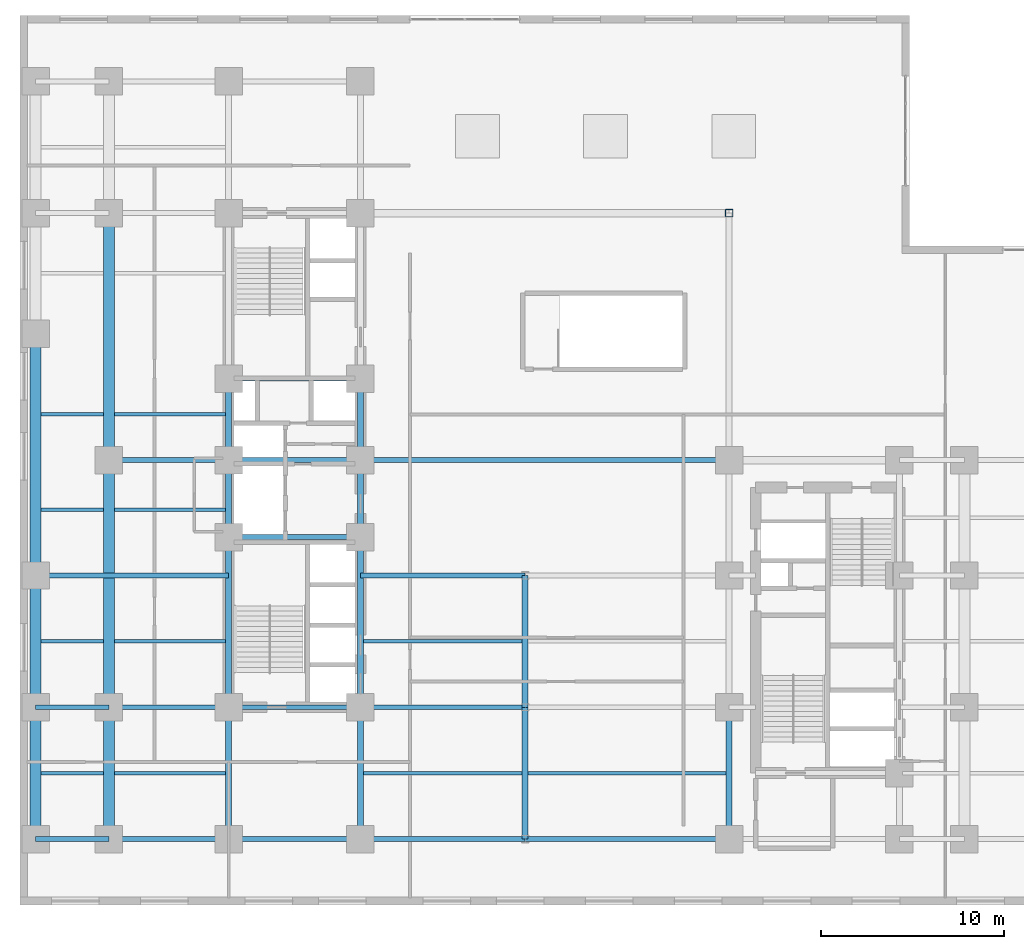
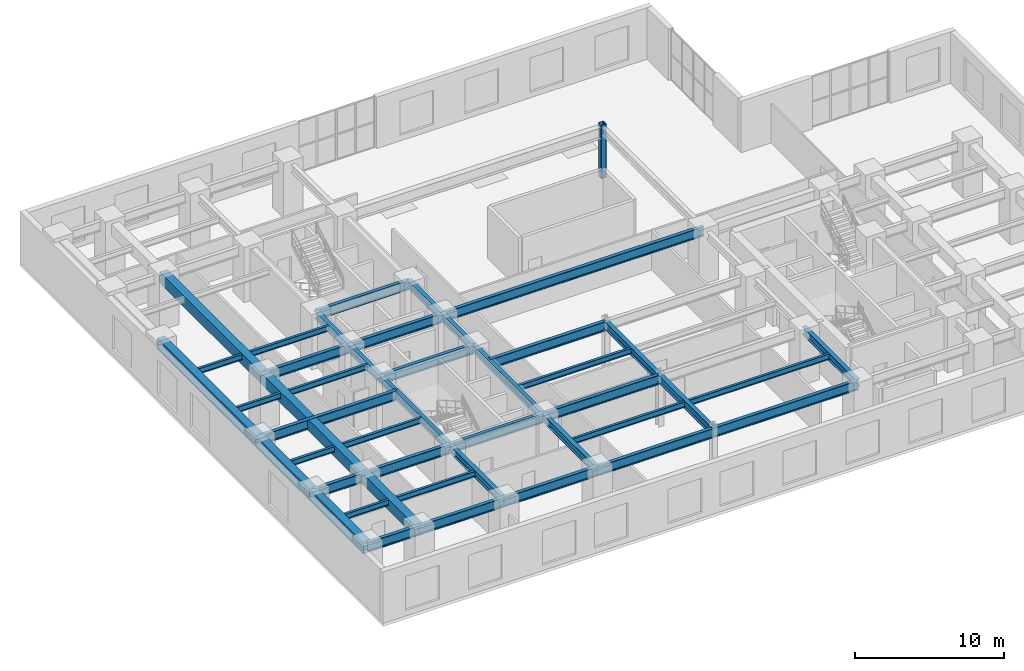
# One storey, part 2 of 14: 44 beams, 1 column.
"""IFC4 building model written with IfcOpenShell, lengths in metres."""

from ifc_helpers import new_model, entity, si_unit, converted_unit, direction, frame, origin_with_axes, origin_2d_with_axis, place, context, subcontext, project, spatial, rectangle, hollow_rectangle, i_section, extrude, material, material_profile, profile_set, type_object, element, save


model = new_model("IFC4")

# Units and contexts
model_context = context("Model", 3, precision=1e-05, world=origin_with_axes(), true_north=direction((0.0, 1.0)))
body_context = subcontext(model_context, "Body", "Model", "MODEL_VIEW")
ifc_project = project(units=[si_unit("LENGTHUNIT", "METRE"), si_unit("AREAUNIT", "SQUARE_METRE"), si_unit("VOLUMEUNIT", "CUBIC_METRE"), converted_unit("PLANEANGLEUNIT", "DEGREE", entity("IfcPlaneAngleMeasure", 0.017453292519943295), si_unit("PLANEANGLEUNIT", "RADIAN"), dimensions=[0, 0, 0, 0, 0, 0, 0]), si_unit("MASSUNIT", "GRAM", prefix="KILO"), si_unit("THERMODYNAMICTEMPERATUREUNIT", "KELVIN")], contexts=[model_context])

# Site, building, storey
site_placement = place(None, origin_with_axes())
site = spatial("IfcSite", under=ifc_project, at=site_placement, CompositionType="ELEMENT")
building_placement = place(site_placement, origin_with_axes())
building = spatial("IfcBuilding", under=site, at=building_placement, Name="Varnlund Millrace Tower", CompositionType="ELEMENT")
storey_placement = place(building_placement, frame((0.0, 0.0, 24.3), z_axis=(0.0, 0.0, 1.0), x_axis=(1.0, 0.0, 0.0)))
storey = spatial("IfcBuildingStorey", under=building, at=storey_placement, Name="L05", CompositionType="ELEMENT", Elevation=24.3)

# Column
ifc_material_1 = material(Name="Steel ASTM A500 Grade C", Category="steel")
ifc_material_profile_1 = material_profile(ifc_material_1, hollow_rectangle(XDim=0.406, YDim=0.406, WallThickness=0.0147, InnerFilletRadius=0.015, OuterFilletRadius=0.03, at=origin_2d_with_axis()), Name="Steel ASTM A500 Grade C")
ifc_profile_set_1 = profile_set([ifc_material_profile_1], Name="Steel ASTM A500 Grade C")
column_type = type_object("IfcColumnType", Name="Type-Col-Int-HSS16", PredefinedType="COLUMN", material=ifc_profile_set_1)
column_placement = place(storey_placement, frame((38.75, 37.8, 0.0), z_axis=(0.0, 0.0, 1.0), x_axis=(1.0, 0.0, 0.0)))
element("IfcColumn", 1, at=column_placement, inside=storey, type_object=column_type, Name="Type-Col-Int-HSS16", PredefinedType="COLUMN", context=body_context, shape_type="SweptSolid", body=[
    extrude(hollow_rectangle(XDim=0.406, YDim=0.406, WallThickness=0.0147, InnerFilletRadius=0.015, OuterFilletRadius=0.03, at=origin_2d_with_axis()), origin_with_axes(), (0.0, 0.0, 1.0), 4.38),
])

# Beams
ifc_material_2 = material(Name="Steel ASTM A992 Grade 50", Category="steel")
ifc_material_profile_2 = material_profile(ifc_material_2, i_section(OverallWidth=0.328, OverallDepth=0.628, WebThickness=0.0165, FlangeThickness=0.0277, FilletRadius=0.018, at=origin_2d_with_axis()), Name="Steel ASTM A992 Grade 50")
ifc_profile_set_2 = profile_set([ifc_material_profile_2], Name="Steel ASTM A992 Grade 50")
beam_type_1 = type_object("IfcBeamType", Name="Type-Girder-W24X146", PredefinedType="USERDEFINED", material=ifc_profile_set_2)
beam_1_placement = place(storey_placement, frame((11.4, 3.6, 3.886), z_axis=(0.0, 1.0, 0.0), x_axis=(-1.0, 0.0, 0.0)))
element("IfcBeam", 2, at=beam_1_placement, inside=storey, type_object=beam_type_1, Name="Type-Girder-W24X146", ObjectType="GIRDER", PredefinedType="USERDEFINED", context=body_context, shape_type="SweptSolid", body=[
    extrude(i_section(OverallWidth=0.328, OverallDepth=0.628, WebThickness=0.0165, FlangeThickness=0.0277, FilletRadius=0.018, at=origin_2d_with_axis()), origin_with_axes(), (0.0, 0.0, 1.0), 7.2),
])
beam_2_placement = place(storey_placement, frame((11.4, 10.8, 3.886), z_axis=(0.0, 1.0, 0.0), x_axis=(-1.0, 0.0, 0.0)))
element("IfcBeam", 3, at=beam_2_placement, inside=storey, type_object=beam_type_1, Name="Type-Girder-W24X146", ObjectType="GIRDER", PredefinedType="USERDEFINED", context=body_context, shape_type="SweptSolid", body=[
    extrude(i_section(OverallWidth=0.328, OverallDepth=0.628, WebThickness=0.0165, FlangeThickness=0.0277, FilletRadius=0.018, at=origin_2d_with_axis()), origin_with_axes(), (0.0, 0.0, 1.0), 9.3),
])
beam_3_placement = place(storey_placement, frame((11.4, 20.1, 3.886), z_axis=(0.0, 1.0, 0.0), x_axis=(-1.0, 0.0, 0.0)))
element("IfcBeam", 4, at=beam_3_placement, inside=storey, type_object=beam_type_1, Name="Type-Girder-W24X146", ObjectType="GIRDER", PredefinedType="USERDEFINED", context=body_context, shape_type="SweptSolid", body=[
    extrude(i_section(OverallWidth=0.328, OverallDepth=0.628, WebThickness=0.0165, FlangeThickness=0.0277, FilletRadius=0.018, at=origin_2d_with_axis()), origin_with_axes(), (0.0, 0.0, 1.0), 4.2),
])
beam_4_placement = place(storey_placement, frame((11.4, 24.3, 3.886), z_axis=(0.0, 1.0, 0.0), x_axis=(-1.0, 0.0, 0.0)))
element("IfcBeam", 5, at=beam_4_placement, inside=storey, type_object=beam_type_1, Name="Type-Girder-W24X146", ObjectType="GIRDER", PredefinedType="USERDEFINED", context=body_context, shape_type="SweptSolid", body=[
    extrude(i_section(OverallWidth=0.328, OverallDepth=0.628, WebThickness=0.0165, FlangeThickness=0.0277, FilletRadius=0.018, at=origin_2d_with_axis()), origin_with_axes(), (0.0, 0.0, 1.0), 4.45),
])
beam_5_placement = place(storey_placement, frame((18.6, 3.6, 3.886), z_axis=(0.0, 1.0, 0.0), x_axis=(-1.0, 0.0, 0.0)))
element("IfcBeam", 6, at=beam_5_placement, inside=storey, type_object=beam_type_1, Name="Type-Girder-W24X146", ObjectType="GIRDER", PredefinedType="USERDEFINED", context=body_context, shape_type="SweptSolid", body=[
    extrude(i_section(OverallWidth=0.328, OverallDepth=0.628, WebThickness=0.0165, FlangeThickness=0.0277, FilletRadius=0.018, at=origin_2d_with_axis()), origin_with_axes(), (0.0, 0.0, 1.0), 7.2),
])
beam_6_placement = place(storey_placement, frame((18.6, 10.8, 3.886), z_axis=(0.0, 1.0, 0.0), x_axis=(-1.0, 0.0, 0.0)))
element("IfcBeam", 7, at=beam_6_placement, inside=storey, type_object=beam_type_1, Name="Type-Girder-W24X146", ObjectType="GIRDER", PredefinedType="USERDEFINED", context=body_context, shape_type="SweptSolid", body=[
    extrude(i_section(OverallWidth=0.328, OverallDepth=0.628, WebThickness=0.0165, FlangeThickness=0.0277, FilletRadius=0.018, at=origin_2d_with_axis()), origin_with_axes(), (0.0, 0.0, 1.0), 9.3),
])
beam_7_placement = place(storey_placement, frame((18.6, 20.1, 3.886), z_axis=(0.0, 1.0, 0.0), x_axis=(-1.0, 0.0, 0.0)))
element("IfcBeam", 8, at=beam_7_placement, inside=storey, type_object=beam_type_1, Name="Type-Girder-W24X146", ObjectType="GIRDER", PredefinedType="USERDEFINED", context=body_context, shape_type="SweptSolid", body=[
    extrude(i_section(OverallWidth=0.328, OverallDepth=0.628, WebThickness=0.0165, FlangeThickness=0.0277, FilletRadius=0.018, at=origin_2d_with_axis()), origin_with_axes(), (0.0, 0.0, 1.0), 4.2),
])
beam_8_placement = place(storey_placement, frame((18.6, 24.3, 3.886), z_axis=(0.0, 1.0, 0.0), x_axis=(-1.0, 0.0, 0.0)))
element("IfcBeam", 9, at=beam_8_placement, inside=storey, type_object=beam_type_1, Name="Type-Girder-W24X146", ObjectType="GIRDER", PredefinedType="USERDEFINED", context=body_context, shape_type="SweptSolid", body=[
    extrude(i_section(OverallWidth=0.328, OverallDepth=0.628, WebThickness=0.0165, FlangeThickness=0.0277, FilletRadius=0.018, at=origin_2d_with_axis()), origin_with_axes(), (0.0, 0.0, 1.0), 4.45),
])
for number, where, z_axis, x_axis, name in (
    (10, (27.6, 3.6, 3.886), (0.0, 1.0, 0.0), (-1.0, 0.0, 0.0), "Type-Girder-W24X146"),
    (11, (27.6, 10.8, 3.886), (0.0, 1.0, 0.0), (-1.0, 0.0, 0.0), "Type-Girder-W24X146"),
    (12, (38.75, 3.6, 3.886), (0.0, 1.0, 0.0), (-1.0, 0.0, 0.0), "Type-Girder-W24X146"),
):
    element("IfcBeam", number, at=place(storey_placement, frame(where, z_axis=z_axis, x_axis=x_axis)), inside=storey, type_object=beam_type_1, Name=name, ObjectType="GIRDER", PredefinedType="USERDEFINED", context=body_context, shape_type="SweptSolid", body=[
        extrude(i_section(OverallWidth=0.328, OverallDepth=0.628, WebThickness=0.0165, FlangeThickness=0.0277, FilletRadius=0.018, at=origin_2d_with_axis()), origin_with_axes(), (0.0, 0.0, 1.0), 7.2),
    ])
ifc_material_profile_3 = material_profile(ifc_material_2, i_section(OverallWidth=0.266, OverallDepth=0.779, WebThickness=0.0165, FlangeThickness=0.03, FilletRadius=0.02, at=origin_2d_with_axis()), Name="Steel ASTM A992 Grade 50")
ifc_profile_set_3 = profile_set([ifc_material_profile_3], Name="Steel ASTM A992 Grade 50")
beam_type_2 = type_object("IfcBeamType", Name="Type-Girder-W30X148", PredefinedType="USERDEFINED", material=ifc_profile_set_3)
beam_9_placement = place(storey_placement, frame((0.85, 3.6, 3.8105), z_axis=(1.0, 0.0, 0.0), x_axis=(0.0, 1.0, 0.0)))
element("IfcBeam", 13, at=beam_9_placement, inside=storey, type_object=beam_type_2, Name="Type-Girder-W30X148", ObjectType="GIRDER", PredefinedType="USERDEFINED", context=body_context, shape_type="SweptSolid", body=[
    extrude(i_section(OverallWidth=0.266, OverallDepth=0.779, WebThickness=0.0165, FlangeThickness=0.03, FilletRadius=0.02, at=origin_2d_with_axis()), origin_with_axes(), (0.0, 0.0, 1.0), 4.0),
])
beam_10_placement = place(storey_placement, frame((4.85, 3.6, 3.8105), z_axis=(1.0, 0.0, 0.0), x_axis=(0.0, 1.0, 0.0)))
element("IfcBeam", 14, at=beam_10_placement, inside=storey, type_object=beam_type_2, Name="Type-Girder-W30X148", ObjectType="GIRDER", PredefinedType="USERDEFINED", context=body_context, shape_type="SweptSolid", body=[
    extrude(i_section(OverallWidth=0.266, OverallDepth=0.779, WebThickness=0.0165, FlangeThickness=0.03, FilletRadius=0.02, at=origin_2d_with_axis()), origin_with_axes(), (0.0, 0.0, 1.0), 6.55),
])
beam_11_placement = place(storey_placement, frame((11.4, 3.6, 3.8105), z_axis=(1.0, 0.0, 0.0), x_axis=(0.0, 1.0, 0.0)))
element("IfcBeam", 15, at=beam_11_placement, inside=storey, type_object=beam_type_2, Name="Type-Girder-W30X148", ObjectType="GIRDER", PredefinedType="USERDEFINED", context=body_context, shape_type="SweptSolid", body=[
    extrude(i_section(OverallWidth=0.266, OverallDepth=0.779, WebThickness=0.0165, FlangeThickness=0.03, FilletRadius=0.02, at=origin_2d_with_axis()), origin_with_axes(), (0.0, 0.0, 1.0), 7.2),
])
beam_12_placement = place(storey_placement, frame((18.6, 3.6, 3.8105), z_axis=(1.0, 0.0, 0.0), x_axis=(0.0, 1.0, 0.0)))
element("IfcBeam", 16, at=beam_12_placement, inside=storey, type_object=beam_type_2, Name="Type-Girder-W30X148", ObjectType="GIRDER", PredefinedType="USERDEFINED", context=body_context, shape_type="SweptSolid", body=[
    extrude(i_section(OverallWidth=0.266, OverallDepth=0.779, WebThickness=0.0165, FlangeThickness=0.03, FilletRadius=0.02, at=origin_2d_with_axis()), origin_with_axes(), (0.0, 0.0, 1.0), 9.0),
])
beam_13_placement = place(storey_placement, frame((27.6, 3.6, 3.8105), z_axis=(1.0, 0.0, 0.0), x_axis=(0.0, 1.0, 0.0)))
element("IfcBeam", 17, at=beam_13_placement, inside=storey, type_object=beam_type_2, Name="Type-Girder-W30X148", ObjectType="GIRDER", PredefinedType="USERDEFINED", context=body_context, shape_type="SweptSolid", body=[
    extrude(i_section(OverallWidth=0.266, OverallDepth=0.779, WebThickness=0.0165, FlangeThickness=0.03, FilletRadius=0.02, at=origin_2d_with_axis()), origin_with_axes(), (0.0, 0.0, 1.0), 11.15),
])
beam_14_placement = place(storey_placement, frame((0.85, 10.8, 3.8105), z_axis=(1.0, 0.0, 0.0), x_axis=(0.0, 1.0, 0.0)))
element("IfcBeam", 18, at=beam_14_placement, inside=storey, type_object=beam_type_2, Name="Type-Girder-W30X148", ObjectType="GIRDER", PredefinedType="USERDEFINED", context=body_context, shape_type="SweptSolid", body=[
    extrude(i_section(OverallWidth=0.266, OverallDepth=0.779, WebThickness=0.0165, FlangeThickness=0.03, FilletRadius=0.02, at=origin_2d_with_axis()), origin_with_axes(), (0.0, 0.0, 1.0), 4.0),
])
beam_15_placement = place(storey_placement, frame((4.85, 10.8, 3.8105), z_axis=(1.0, 0.0, 0.0), x_axis=(0.0, 1.0, 0.0)))
element("IfcBeam", 19, at=beam_15_placement, inside=storey, type_object=beam_type_2, Name="Type-Girder-W30X148", ObjectType="GIRDER", PredefinedType="USERDEFINED", context=body_context, shape_type="SweptSolid", body=[
    extrude(i_section(OverallWidth=0.266, OverallDepth=0.779, WebThickness=0.0165, FlangeThickness=0.03, FilletRadius=0.02, at=origin_2d_with_axis()), origin_with_axes(), (0.0, 0.0, 1.0), 6.55),
])
beam_16_placement = place(storey_placement, frame((11.4, 10.8, 3.8105), z_axis=(1.0, 0.0, 0.0), x_axis=(0.0, 1.0, 0.0)))
element("IfcBeam", 20, at=beam_16_placement, inside=storey, type_object=beam_type_2, Name="Type-Girder-W30X148", ObjectType="GIRDER", PredefinedType="USERDEFINED", context=body_context, shape_type="SweptSolid", body=[
    extrude(i_section(OverallWidth=0.266, OverallDepth=0.779, WebThickness=0.0165, FlangeThickness=0.03, FilletRadius=0.02, at=origin_2d_with_axis()), origin_with_axes(), (0.0, 0.0, 1.0), 7.2),
])
beam_17_placement = place(storey_placement, frame((18.6, 10.8, 3.8105), z_axis=(1.0, 0.0, 0.0), x_axis=(0.0, 1.0, 0.0)))
element("IfcBeam", 21, at=beam_17_placement, inside=storey, type_object=beam_type_2, Name="Type-Girder-W30X148", ObjectType="GIRDER", PredefinedType="USERDEFINED", context=body_context, shape_type="SweptSolid", body=[
    extrude(i_section(OverallWidth=0.266, OverallDepth=0.779, WebThickness=0.0165, FlangeThickness=0.03, FilletRadius=0.02, at=origin_2d_with_axis()), origin_with_axes(), (0.0, 0.0, 1.0), 9.0),
])
beam_18_placement = place(storey_placement, frame((0.85, 18.0, 3.8105), z_axis=(1.0, 0.0, 0.0), x_axis=(0.0, 1.0, 0.0)))
element("IfcBeam", 22, at=beam_18_placement, inside=storey, type_object=beam_type_2, Name="Type-Girder-W30X148", ObjectType="GIRDER", PredefinedType="USERDEFINED", context=body_context, shape_type="SweptSolid", body=[
    extrude(i_section(OverallWidth=0.266, OverallDepth=0.779, WebThickness=0.0165, FlangeThickness=0.03, FilletRadius=0.02, at=origin_2d_with_axis()), origin_with_axes(), (0.0, 0.0, 1.0), 10.55),
])
beam_19_placement = place(storey_placement, frame((18.6, 18.0, 3.8105), z_axis=(1.0, 0.0, 0.0), x_axis=(0.0, 1.0, 0.0)))
element("IfcBeam", 23, at=beam_19_placement, inside=storey, type_object=beam_type_2, Name="Type-Girder-W30X148", ObjectType="GIRDER", PredefinedType="USERDEFINED", context=body_context, shape_type="SweptSolid", body=[
    extrude(i_section(OverallWidth=0.266, OverallDepth=0.779, WebThickness=0.0165, FlangeThickness=0.03, FilletRadius=0.02, at=origin_2d_with_axis()), origin_with_axes(), (0.0, 0.0, 1.0), 9.0),
])
beam_20_placement = place(storey_placement, frame((11.4, 20.1, 3.8105), z_axis=(1.0, 0.0, 0.0), x_axis=(0.0, 1.0, 0.0)))
element("IfcBeam", 24, at=beam_20_placement, inside=storey, type_object=beam_type_2, Name="Type-Girder-W30X148", ObjectType="GIRDER", PredefinedType="USERDEFINED", context=body_context, shape_type="SweptSolid", body=[
    extrude(i_section(OverallWidth=0.266, OverallDepth=0.779, WebThickness=0.0165, FlangeThickness=0.03, FilletRadius=0.02, at=origin_2d_with_axis()), origin_with_axes(), (0.0, 0.0, 1.0), 7.2),
])
beam_21_placement = place(storey_placement, frame((4.85, 24.3, 3.8105), z_axis=(1.0, 0.0, 0.0), x_axis=(0.0, 1.0, 0.0)))
element("IfcBeam", 25, at=beam_21_placement, inside=storey, type_object=beam_type_2, Name="Type-Girder-W30X148", ObjectType="GIRDER", PredefinedType="USERDEFINED", context=body_context, shape_type="SweptSolid", body=[
    extrude(i_section(OverallWidth=0.266, OverallDepth=0.779, WebThickness=0.0165, FlangeThickness=0.03, FilletRadius=0.02, at=origin_2d_with_axis()), origin_with_axes(), (0.0, 0.0, 1.0), 6.55),
])
beam_22_placement = place(storey_placement, frame((11.4, 24.3, 3.8105), z_axis=(1.0, 0.0, 0.0), x_axis=(0.0, 1.0, 0.0)))
element("IfcBeam", 26, at=beam_22_placement, inside=storey, type_object=beam_type_2, Name="Type-Girder-W30X148", ObjectType="GIRDER", PredefinedType="USERDEFINED", context=body_context, shape_type="SweptSolid", body=[
    extrude(i_section(OverallWidth=0.266, OverallDepth=0.779, WebThickness=0.0165, FlangeThickness=0.03, FilletRadius=0.02, at=origin_2d_with_axis()), origin_with_axes(), (0.0, 0.0, 1.0), 7.2),
])
beam_23_placement = place(storey_placement, frame((18.6, 24.3, 3.8105), z_axis=(1.0, 0.0, 0.0), x_axis=(0.0, 1.0, 0.0)))
element("IfcBeam", 27, at=beam_23_placement, inside=storey, type_object=beam_type_2, Name="Type-Girder-W30X148", ObjectType="GIRDER", PredefinedType="USERDEFINED", context=body_context, shape_type="SweptSolid", body=[
    extrude(i_section(OverallWidth=0.266, OverallDepth=0.779, WebThickness=0.0165, FlangeThickness=0.03, FilletRadius=0.02, at=origin_2d_with_axis()), origin_with_axes(), (0.0, 0.0, 1.0), 20.15),
])
beam_24_placement = place(storey_placement, frame((11.4, 28.75, 3.8105), z_axis=(1.0, 0.0, 0.0), x_axis=(0.0, 1.0, 0.0)))
element("IfcBeam", 28, at=beam_24_placement, inside=storey, type_object=beam_type_2, Name="Type-Girder-W30X148", ObjectType="GIRDER", PredefinedType="USERDEFINED", context=body_context, shape_type="SweptSolid", body=[
    extrude(i_section(OverallWidth=0.266, OverallDepth=0.779, WebThickness=0.0165, FlangeThickness=0.03, FilletRadius=0.02, at=origin_2d_with_axis()), origin_with_axes(), (0.0, 0.0, 1.0), 7.2),
])
ifc_material_profile_4 = material_profile(ifc_material_2, i_section(OverallWidth=0.191, OverallDepth=0.457, WebThickness=0.009, FlangeThickness=0.0145, FilletRadius=0.013, at=origin_2d_with_axis()), Name="Steel ASTM A992 Grade 50")
ifc_profile_set_4 = profile_set([ifc_material_profile_4], Name="Steel ASTM A992 Grade 50")
beam_type_3 = type_object("IfcBeamType", Name="Type-Joist-W18X50", PredefinedType="JOIST", material=ifc_profile_set_4)
for number, where, z_axis, x_axis, name in (
    (29, (1.15, 7.2, 3.9715), (1.0, 0.0, 0.0), (0.0, 1.0, 0.0), "Type-Joist-W18X50"),
    (30, (1.15, 14.4, 3.9715), (1.0, 0.0, 0.0), (0.0, 1.0, 0.0), "Type-Joist-W18X50"),
    (31, (1.15, 21.6, 3.9715), (1.0, 0.0, 0.0), (0.0, 1.0, 0.0), "Type-Joist-W18X50"),
    (32, (1.15, 26.8, 3.9715), (1.0, 0.0, 0.0), (0.0, 1.0, 0.0), "Type-Joist-W18X50"),
):
    element("IfcBeam", number, at=place(storey_placement, frame(where, z_axis=z_axis, x_axis=x_axis)), inside=storey, type_object=beam_type_3, Name=name, PredefinedType="JOIST", context=body_context, shape_type="SweptSolid", body=[
        extrude(i_section(OverallWidth=0.191, OverallDepth=0.457, WebThickness=0.009, FlangeThickness=0.0145, FilletRadius=0.013, at=origin_2d_with_axis()), origin_with_axes(), (0.0, 0.0, 1.0), 3.4),
    ])
for number, where, z_axis, x_axis, name in (
    (33, (5.15, 7.2, 3.9715), (1.0, 0.0, 0.0), (0.0, 1.0, 0.0), "Type-Joist-W18X50"),
    (34, (5.15, 14.4, 3.9715), (1.0, 0.0, 0.0), (0.0, 1.0, 0.0), "Type-Joist-W18X50"),
    (35, (5.15, 21.6, 3.9715), (1.0, 0.0, 0.0), (0.0, 1.0, 0.0), "Type-Joist-W18X50"),
    (36, (5.15, 26.8, 3.9715), (1.0, 0.0, 0.0), (0.0, 1.0, 0.0), "Type-Joist-W18X50"),
):
    element("IfcBeam", number, at=place(storey_placement, frame(where, z_axis=z_axis, x_axis=x_axis)), inside=storey, type_object=beam_type_3, Name=name, PredefinedType="JOIST", context=body_context, shape_type="SweptSolid", body=[
        extrude(i_section(OverallWidth=0.191, OverallDepth=0.457, WebThickness=0.009, FlangeThickness=0.0145, FilletRadius=0.013, at=origin_2d_with_axis()), origin_with_axes(), (0.0, 0.0, 1.0), 6.086),
    ])
for number, where, z_axis, x_axis, name in (
    (37, (18.764, 7.2, 3.9715), (1.0, 0.0, 0.0), (0.0, 1.0, 0.0), "Type-Joist-W18X50"),
    (38, (18.764, 14.4, 3.9715), (1.0, 0.0, 0.0), (0.0, 1.0, 0.0), "Type-Joist-W18X50"),
):
    element("IfcBeam", number, at=place(storey_placement, frame(where, z_axis=z_axis, x_axis=x_axis)), inside=storey, type_object=beam_type_3, Name=name, PredefinedType="JOIST", context=body_context, shape_type="SweptSolid", body=[
        extrude(i_section(OverallWidth=0.191, OverallDepth=0.457, WebThickness=0.009, FlangeThickness=0.0145, FilletRadius=0.013, at=origin_2d_with_axis()), origin_with_axes(), (0.0, 0.0, 1.0), 8.672),
    ])
beam_25_placement = place(storey_placement, frame((27.764, 7.2, 3.9715), z_axis=(1.0, 0.0, 0.0), x_axis=(0.0, 1.0, 0.0)))
element("IfcBeam", 39, at=beam_25_placement, inside=storey, type_object=beam_type_3, Name="Type-Joist-W18X50", PredefinedType="JOIST", context=body_context, shape_type="SweptSolid", body=[
    extrude(i_section(OverallWidth=0.191, OverallDepth=0.457, WebThickness=0.009, FlangeThickness=0.0145, FilletRadius=0.013, at=origin_2d_with_axis()), origin_with_axes(), (0.0, 0.0, 1.0), 10.822),
])
ifc_material_3 = material(Name="Concrete C70/85", Category="concrete")
ifc_material_profile_5 = material_profile(ifc_material_3, rectangle(XDim=0.6, YDim=0.9, at=origin_2d_with_axis()), Name="Concrete C70/85")
ifc_profile_set_5 = profile_set([ifc_material_profile_5], Name="Concrete C70/85")
beam_type_4 = type_object("IfcBeamType", Name="Type-Spandrel-RC600X900", PredefinedType="SPANDREL", material=ifc_profile_set_5)
for number, where, z_axis, x_axis, name in (
    (40, (0.85, 3.6, 3.75), (0.0, 1.0, 0.0), (-1.0, 0.0, 0.0), "Type-Spandrel-RC600X900"),
    (41, (0.85, 10.8, 3.75), (0.0, 1.0, 0.0), (-1.0, 0.0, 0.0), "Type-Spandrel-RC600X900"),
):
    element("IfcBeam", number, at=place(storey_placement, frame(where, z_axis=z_axis, x_axis=x_axis)), inside=storey, type_object=beam_type_4, Name=name, PredefinedType="SPANDREL", context=body_context, shape_type="SweptSolid", body=[
        extrude(rectangle(XDim=0.6, YDim=0.9, at=origin_2d_with_axis()), origin_with_axes(), (0.0, 0.0, 1.0), 7.2),
    ])
beam_26_placement = place(storey_placement, frame((0.85, 18.0, 3.75), z_axis=(0.0, 1.0, 0.0), x_axis=(-1.0, 0.0, 0.0)))
element("IfcBeam", 42, at=beam_26_placement, inside=storey, type_object=beam_type_4, Name="Type-Spandrel-RC600X900", PredefinedType="SPANDREL", context=body_context, shape_type="SweptSolid", body=[
    extrude(rectangle(XDim=0.6, YDim=0.9, at=origin_2d_with_axis()), origin_with_axes(), (0.0, 0.0, 1.0), 13.2),
])
beam_27_placement = place(storey_placement, frame((4.85, 3.6, 3.75), z_axis=(0.0, 1.0, 0.0), x_axis=(-1.0, 0.0, 0.0)))
element("IfcBeam", 43, at=beam_27_placement, inside=storey, type_object=beam_type_4, Name="Type-Spandrel-RC600X900", PredefinedType="SPANDREL", context=body_context, shape_type="SweptSolid", body=[
    extrude(rectangle(XDim=0.6, YDim=0.9, at=origin_2d_with_axis()), origin_with_axes(), (0.0, 0.0, 1.0), 7.2),
])
for number, where, z_axis, x_axis, name in (
    (44, (4.85, 10.8, 3.75), (0.0, 1.0, 0.0), (-1.0, 0.0, 0.0), "Type-Spandrel-RC600X900"),
    (45, (4.85, 24.3, 3.75), (0.0, 1.0, 0.0), (-1.0, 0.0, 0.0), "Type-Spandrel-RC600X900"),
):
    element("IfcBeam", number, at=place(storey_placement, frame(where, z_axis=z_axis, x_axis=x_axis)), inside=storey, type_object=beam_type_4, Name=name, PredefinedType="SPANDREL", context=body_context, shape_type="SweptSolid", body=[
        extrude(rectangle(XDim=0.6, YDim=0.9, at=origin_2d_with_axis()), origin_with_axes(), (0.0, 0.0, 1.0), 13.5),
    ])

save(model, "model.ifc")
